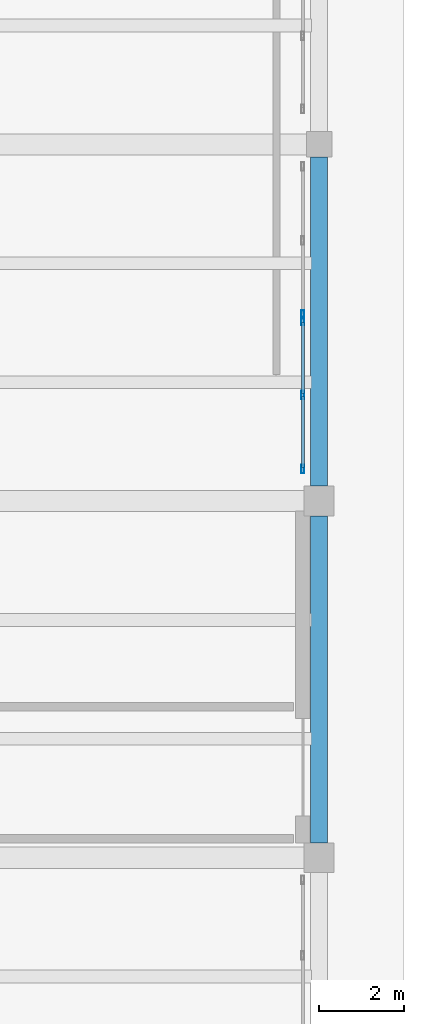
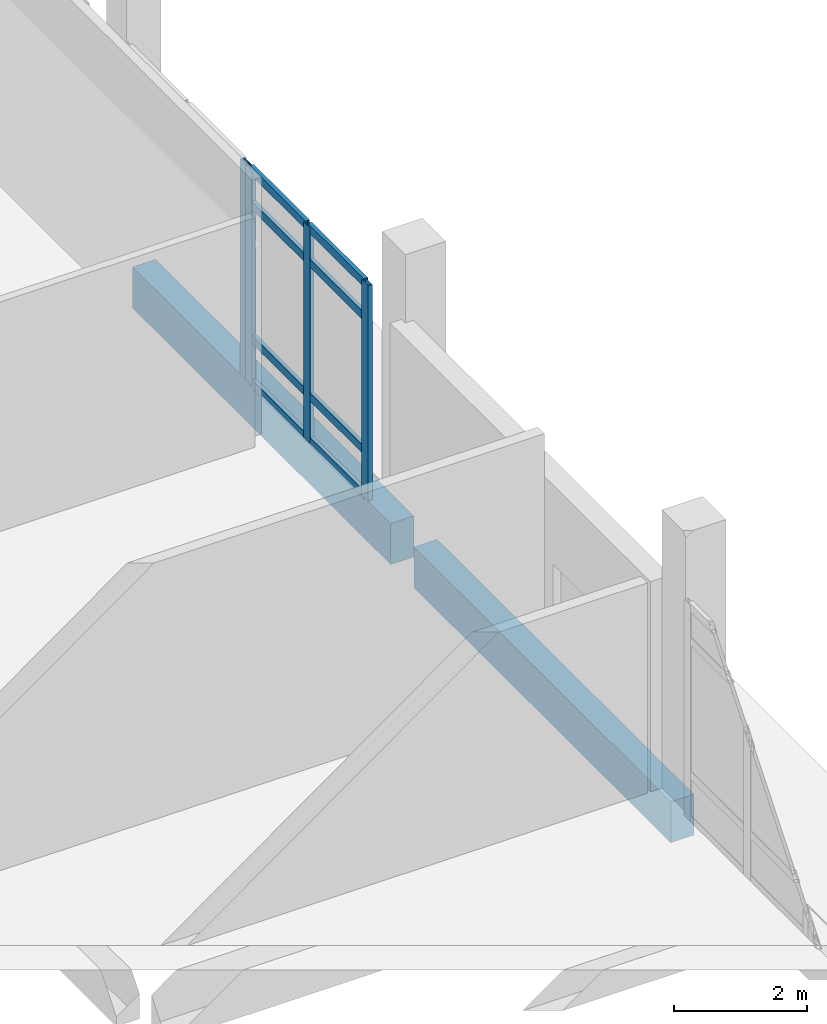
# One storey, part 21 of 64: 12 members, 2 beams, 2 elements without a shape of their own.
"""IFC4 building model written with IfcOpenShell, lengths in metres."""

import ifcopenshell
import ifcopenshell.guid

model = None  # the IFC model being written
_history = None  # IfcOwnerHistory: only IFC2X3 demands one
_inside = {}  # id of a spatial element -> (the spatial element, [elements in it])
_under = {}  # id of a project, library or spatial element -> (it, [spatial elements below it])
_declared = {}  # id of a project -> (the project, [libraries it declares])
_typed = {}  # id of a type object -> (the type object, [elements of that type])
_made_of = {}  # id of a material, layer set ... -> (it, [elements and type objects made of it])


def new_model(schema):
    """Start an empty IFC model of exactly this schema.

    Asked for "IFC4X3", IfcOpenShell would pick the latest addendum, in which some entities
    have other attributes; the version numbers below select the first issue.
    IFC2X3 requires an IfcOwnerHistory on every rooted entity: one is made here for all.
    """
    global model, _history
    if schema == "IFC4X3":
        model = ifcopenshell.file(schema_version=(4, 3, 0, 0))
    else:
        model = ifcopenshell.file(schema=schema)
    _inside.clear()
    _under.clear()
    _declared.clear()
    _typed.clear()
    _made_of.clear()
    _history = None
    if model.schema == "IFC2X3":
        org = make("IfcOrganization", Name="unknown")
        user = make(
            "IfcPersonAndOrganization",
            ThePerson=make("IfcPerson", FamilyName="unknown"),
            TheOrganization=org,
        )
        app = make(
            "IfcApplication",
            ApplicationDeveloper=org,
            Version="unknown",
            ApplicationFullName="unknown",
            ApplicationIdentifier="unknown",
        )
        _history = make(
            "IfcOwnerHistory",
            OwningUser=user,
            OwningApplication=app,
            ChangeAction="ADDED",
            CreationDate=0,
        )
    return model


def make(cls, **values):
    """One entity of the class cls with the attributes given. An attribute that is None is left unset."""
    return model.create_entity(
        cls, **{name: value for name, value in values.items() if value is not None}
    )


def rooted(cls, **values):
    """An entity with a GlobalId (a new one), such as an element, a storey or a relation."""
    return make(cls, GlobalId=ifcopenshell.guid.new(), OwnerHistory=_history, **values)


def si_unit(unit_type, name, prefix=None):
    """IfcSIUnit, for example si_unit("LENGTHUNIT", "METRE", prefix="MILLI")."""
    return make("IfcSIUnit", UnitType=unit_type, Prefix=prefix, Name=name)


def derived_unit(unit_type, elements):
    """IfcDerivedUnit: a product of units, each with its exponent."""
    return make(
        "IfcDerivedUnit",
        Elements=[
            make("IfcDerivedUnitElement", Unit=unit, Exponent=power)
            for unit, power in elements
        ],
        UnitType=unit_type,
    )


def assignment(units):
    """IfcUnitAssignment: the units of a project."""
    return None if units is None else make("IfcUnitAssignment", Units=units)


def point(xyz):
    """IfcCartesianPoint."""
    return None if xyz is None else make("IfcCartesianPoint", Coordinates=xyz)


def direction(xyz):
    """IfcDirection."""
    return None if xyz is None else make("IfcDirection", DirectionRatios=xyz)


def frame(location, z_axis=None, x_axis=None):
    """IfcAxis2Placement3D, a coordinate frame: its origin and axes. An axis left out is left unset."""
    return make(
        "IfcAxis2Placement3D",
        Location=point(location),
        Axis=direction(z_axis),
        RefDirection=direction(x_axis),
    )


def frame_2d(location, x_axis=None):
    """IfcAxis2Placement2D, a coordinate frame in the plane: its origin and x axis."""
    return make(
        "IfcAxis2Placement2D", Location=point(location), RefDirection=direction(x_axis)
    )


def origin():
    """The frame at (0, 0, 0) with its axes left unset."""
    return frame((0.0, 0.0, 0.0))


def origin_2d():
    """The frame at (0, 0) in the plane with its x axis left unset."""
    return frame_2d((0.0, 0.0))


def place(relative_to, where):
    """IfcLocalPlacement: puts the frame where relative to a parent placement (None: the world)."""
    return make(
        "IfcLocalPlacement", PlacementRelTo=relative_to, RelativePlacement=where
    )


def context(
    kind, dimensions, precision=None, world=None, true_north=None, identifier=None
):
    """IfcGeometricRepresentationContext, for example the 3D "Model" context."""
    return make(
        "IfcGeometricRepresentationContext",
        ContextIdentifier=identifier,
        ContextType=kind,
        CoordinateSpaceDimension=dimensions,
        Precision=precision,
        WorldCoordinateSystem=world,
        TrueNorth=true_north,
    )


def subcontext(parent, identifier, kind, view, scale=None):
    """IfcGeometricRepresentationSubContext, for example "Body" below "Model"."""
    return make(
        "IfcGeometricRepresentationSubContext",
        ContextIdentifier=identifier,
        ContextType=kind,
        ParentContext=parent,
        TargetScale=scale,
        TargetView=view,
    )


def project(units=None, contexts=None):
    """IfcProject with its units and contexts."""
    return rooted(
        "IfcProject",
        Name="project",
        RepresentationContexts=contexts,
        UnitsInContext=assignment(units),
    )


def spatial(cls, under=None, at=None, **own):
    """A site, building, storey or space (cls), placed at a placement, below another one or the project."""
    s = rooted(cls, ObjectPlacement=at, **own)
    if under is not None:
        _under.setdefault(under.id(), (under, []))[1].append(s)
    return s


def profile(cls, at=None, kind="AREA", **sizes):
    """A parametric profile (cls). Its sizes go by their IFC names, for example OverallWidth=200.0."""
    return make(cls, ProfileType=kind, Position=at, **sizes)


def rectangle(**sizes):
    """IfcRectangleProfileDef."""
    return profile("IfcRectangleProfileDef", **sizes)


def hollow_rectangle(**sizes):
    """IfcRectangleHollowProfileDef."""
    return profile("IfcRectangleHollowProfileDef", **sizes)


def extrude(swept, where, along, depth):
    """IfcExtrudedAreaSolid: the profile swept, set in the frame where, extruded along a direction by depth."""
    return make(
        "IfcExtrudedAreaSolid",
        SweptArea=swept,
        Position=where,
        ExtrudedDirection=direction(along),
        Depth=depth,
    )


def shape(context_of_items, identifier, shape_type, items):
    """IfcShapeRepresentation: the items that make up one representation, for example the "Body"."""
    return make(
        "IfcShapeRepresentation",
        ContextOfItems=context_of_items,
        RepresentationIdentifier=identifier,
        RepresentationType=shape_type,
        Items=items,
    )


def material(Name=None, Category=None):
    """IfcMaterial."""
    return make("IfcMaterial", Name=Name, Category=Category)


def layer(
    of_material, thickness, ventilated=None, Name=None, Category=None, Priority=None
):
    """IfcMaterialLayer: one layer of a wall or slab, of a material (None: an air gap)."""
    return make(
        "IfcMaterialLayer",
        Material=of_material,
        LayerThickness=thickness,
        IsVentilated=ventilated,
        Name=Name,
        Category=Category,
        Priority=Priority,
    )


def layer_set(layers, Name=None):
    """IfcMaterialLayerSet."""
    return make("IfcMaterialLayerSet", MaterialLayers=layers, LayerSetName=Name)


def material_profile(
    of_material, cross_section, Name=None, Category=None, Priority=None
):
    """IfcMaterialProfile: a cross section and its material."""
    return make(
        "IfcMaterialProfile",
        Name=Name,
        Material=of_material,
        Profile=cross_section,
        Priority=Priority,
        Category=Category,
    )


def profile_set(profiles, Name=None, composite=None):
    """IfcMaterialProfileSet."""
    return make(
        "IfcMaterialProfileSet",
        Name=Name,
        MaterialProfiles=profiles,
        CompositeProfile=composite,
    )


def made_of(thing, what):
    """Note that an element or type object is made of a material, layer set ...; save() writes the relation."""
    if what is not None:
        _made_of.setdefault(what.id(), (what, []))[1].append(thing)
    return thing


def type_object(cls, material=None, **own):
    """A type object (cls), such as IfcWallType, which elements share."""
    return made_of(rooted(cls, **own), material)


def element(
    cls,
    number,
    at=None,
    inside=None,
    cuts=None,
    type_object=None,
    material=None,
    context=None,
    identifier="Body",
    shape_type=None,
    held_by="IfcProductDefinitionShape",
    body=None,
    shapes=None,
    **own,
):
    """One element of the class cls, such as IfcWall. Its Tag is "e" and its number.

    at: its placement. inside: the storey or other place that contains it. cuts: it is an
    opening in that element (IfcRelVoidsElement). A single representation is given by context,
    identifier, shape_type and body (its items); several are given by shapes. held_by: the class
    of the entity that holds the representations. save() writes the other relations.
    """
    e = rooted(cls, Tag="e%d" % number, ObjectPlacement=at, **own)
    if body is not None:
        shapes = [shape(context, identifier, shape_type, body)]
    if shapes is not None:
        e.Representation = make(held_by, Representations=shapes)
    if inside is not None:
        _inside.setdefault(inside.id(), (inside, []))[1].append(e)
    if cuts is not None:
        rooted(
            "IfcRelVoidsElement", RelatingBuildingElement=cuts, RelatedOpeningElement=e
        )
    if type_object is not None:
        _typed.setdefault(type_object.id(), (type_object, []))[1].append(e)
    return made_of(e, material)


def aggregate(whole, parts):
    """IfcRelAggregates: a whole, such as a stair, and the parts it consists of."""
    return rooted("IfcRelAggregates", RelatingObject=whole, RelatedObjects=parts)


def save(model, path):
    """Write the relations noted so far, then the file.

    IfcRelAggregates (storeys below a building ...), IfcRelContainedInSpatialStructure (elements
    in a storey), IfcRelDefinesByType, IfcRelAssociatesMaterial and IfcRelDeclares: one each for
    every whole, place, type object, material and project.
    """
    for whole, parts in _under.values():
        aggregate(whole, parts)
    for where, things in _inside.values():
        rooted(
            "IfcRelContainedInSpatialStructure",
            RelatedElements=things,
            RelatingStructure=where,
        )
    for kind, things in _typed.values():
        rooted("IfcRelDefinesByType", RelatedObjects=things, RelatingType=kind)
    for what, things in _made_of.values():
        rooted("IfcRelAssociatesMaterial", RelatedObjects=things, RelatingMaterial=what)
    for by, libraries in _declared.values():
        rooted("IfcRelDeclares", RelatingContext=by, RelatedDefinitions=libraries)
    model.write(path)


model = new_model("IFC4")

# Units and contexts
model_context = context("Model", 3, precision=1e-05, world=origin(), true_north=direction((0.0, 1.0)))
body_context = subcontext(model_context, "Body", "Model", "MODEL_VIEW")
ifc_project = project(units=[si_unit("LENGTHUNIT", "METRE"), si_unit("AREAUNIT", "SQUARE_METRE"), si_unit("VOLUMEUNIT", "CUBIC_METRE"), si_unit("PLANEANGLEUNIT", "RADIAN"), si_unit("MASSUNIT", "GRAM", prefix="KILO"), derived_unit("THERMALTRANSMITTANCEUNIT", [(si_unit("POWERUNIT", "WATT"), 1), (si_unit("LENGTHUNIT", "METRE"), -2), (si_unit("THERMODYNAMICTEMPERATUREUNIT", "KELVIN"), -1)])], contexts=[model_context])

# Site, building, storey
site_placement = place(None, origin())
site = spatial("IfcSite", under=ifc_project, at=site_placement, CompositionType="ELEMENT")
building_placement = place(site_placement, origin())
building = spatial("IfcBuilding", under=site, at=building_placement, Name="Elbkamm Science Centre", CompositionType="ELEMENT")
storey_placement = place(building_placement, origin())
storey = spatial("IfcBuildingStorey", under=building, at=storey_placement, Name="L00", CompositionType="ELEMENT", Elevation=0.0)

# Beams
ifc_material_1 = material(Name="Concrete C40/50", Category="concrete")
ifc_material_profile_1 = material_profile(ifc_material_1, rectangle(XDim=0.39990234375, YDim=0.75, at=origin_2d()), Name="RC 400x750")
ifc_profile_set_1 = profile_set([ifc_material_profile_1], Name="Concrete C40/50")
beam_type = type_object("IfcBeamType", Name="BM-RC-400x750", PredefinedType="BEAM", material=ifc_profile_set_1)
beam_1_placement = place(storey_placement, frame((160.800048828125, 50.75, -0.675048828125), z_axis=(0.0, 1.0, 0.0), x_axis=(-1.0, 0.0, 0.0)))
element("IfcBeam", 1, at=beam_1_placement, inside=storey, type_object=beam_type, Name="L00 Primary Y-Girder 081", PredefinedType="BEAM", context=body_context, shape_type="SweptSolid", body=[
    extrude(rectangle(XDim=0.39990234375, YDim=0.75, at=origin_2d()), origin(), (0.0, 0.0, 1.0), 7.699951171875),
])
beam_2_placement = place(storey_placement, frame((160.800048828125, 59.14990234375, -0.675048828125), z_axis=(0.0, 1.0, 0.0), x_axis=(-1.0, 0.0, 0.0)))
element("IfcBeam", 2, at=beam_2_placement, inside=storey, type_object=beam_type, Name="L00 Primary Y-Girder 082", PredefinedType="BEAM", context=body_context, shape_type="SweptSolid", body=[
    extrude(rectangle(XDim=0.39990234375, YDim=0.75, at=origin_2d()), origin(), (0.0, 0.0, 1.0), 7.75),
])

# Curtain wall, member
ifc_material_2 = material(Name="Powder-coated aluminium and triple low-E glazing", Category="aluminium")
ifc_layer = layer(ifc_material_2, 0.159912109375)
ifc_layer_set = layer_set([ifc_layer], Name="Powder-coated aluminium and triple low-E glazing")
curtain_wall_type = type_object("IfcCurtainWallType", Name="CW-UNIT-3560x3960", PredefinedType="USERDEFINED", material=ifc_layer_set)
curtain_wall_1_placement = place(storey_placement, origin())
curtain_wall_1 = element("IfcCurtainWall", 3, at=curtain_wall_1_placement, inside=storey, type_object=curtain_wall_type, Name="L00 Unitised Curtain Wall 124", ObjectType="UNITISED CURTAIN WALL", PredefinedType="USERDEFINED")
ifc_material_3 = material(Name="Powder-coated aluminium EN AW-6060", Category="aluminium")
ifc_material_profile_2 = material_profile(ifc_material_3, hollow_rectangle(XDim=0.070068359375, YDim=0.199951171875, WallThickness=0.00439453125, at=origin_2d()), Name="ALU M70x200")
ifc_profile_set_2 = profile_set([ifc_material_profile_2], Name="Powder-coated aluminium EN AW-6060")
member_type_1 = type_object("IfcMemberType", Name="CW-MUL-70x200", PredefinedType="MULLION", material=ifc_profile_set_2)
member_1_placement = place(storey_placement, frame((160.419921875, 63.18994140625, 0.0), z_axis=(0.0, 0.0, 1.0), x_axis=(1.0, 0.0, 0.0)))
member_1 = element("IfcMember", 4, at=member_1_placement, type_object=member_type_1, Name="CW-062 mullion 3", PredefinedType="MULLION", context=body_context, shape_type="SweptSolid", body=[
    extrude(hollow_rectangle(XDim=0.070068359375, YDim=0.199951171875, WallThickness=0.00439453125, at=origin_2d()), origin(), (0.0, 0.0, 1.0), 3.949951171875),
])
aggregate(curtain_wall_1, [member_1])

# Curtain wall, members
curtain_wall_2_placement = place(storey_placement, origin())
curtain_wall_2 = element("IfcCurtainWall", 5, at=curtain_wall_2_placement, inside=storey, type_object=curtain_wall_type, Name="L00 Unitised Curtain Wall 125", ObjectType="UNITISED CURTAIN WALL", PredefinedType="USERDEFINED")
member_2_placement = place(storey_placement, frame((160.419921875, 63.039794921875, 0.0), z_axis=(0.0, 0.0, 1.0), x_axis=(1.0, 0.0, 0.0)))
member_2 = element("IfcMember", 6, at=member_2_placement, type_object=member_type_1, Name="CW-062 mullion 1", PredefinedType="MULLION", context=body_context, shape_type="SweptSolid", body=[
    extrude(hollow_rectangle(XDim=0.070068359375, YDim=0.199951171875, WallThickness=0.00439453125, at=origin_2d()), origin(), (0.0, 0.0, 1.0), 3.949951171875),
])
member_3_placement = place(storey_placement, frame((160.419921875, 61.29541015625, 0.0), z_axis=(0.0, 0.0, 1.0), x_axis=(1.0, 0.0, 0.0)))
member_3 = element("IfcMember", 7, at=member_3_placement, type_object=member_type_1, Name="CW-062 mullion 2", PredefinedType="MULLION", context=body_context, shape_type="SweptSolid", body=[
    extrude(hollow_rectangle(XDim=0.070068359375, YDim=0.199951171875, WallThickness=0.00439453125, at=origin_2d()), origin(), (0.0, 0.0, 1.0), 3.949951171875),
])
member_4_placement = place(storey_placement, frame((160.419921875, 59.551025390625, 0.0), z_axis=(0.0, 0.0, 1.0), x_axis=(1.0, 0.0, 0.0)))
member_4 = element("IfcMember", 8, at=member_4_placement, type_object=member_type_1, Name="CW-062 mullion 3", PredefinedType="MULLION", context=body_context, shape_type="SweptSolid", body=[
    extrude(hollow_rectangle(XDim=0.070068359375, YDim=0.199951171875, WallThickness=0.00439453125, at=origin_2d()), origin(), (0.0, 0.0, 1.0), 3.949951171875),
])
ifc_material_profile_3 = material_profile(ifc_material_3, hollow_rectangle(XDim=0.070068359375, YDim=0.14990234375, WallThickness=0.00390625, at=origin_2d()), Name="ALU T70x150")
ifc_profile_set_3 = profile_set([ifc_material_profile_3], Name="Powder-coated aluminium EN AW-6060")
member_type_2 = type_object("IfcMemberType", Name="CW-TRN-70x150", PredefinedType="USERDEFINED", material=ifc_profile_set_3)
member_5_placement = place(storey_placement, frame((160.419921875, 63.0048828125, 0.034912109375), z_axis=(0.0, -1.0, 0.0), x_axis=(1.0, 0.0, 0.0)))
member_5 = element("IfcMember", 9, at=member_5_placement, type_object=member_type_2, Name="CW-062 transom 1.1", ObjectType="TRANSOM", PredefinedType="USERDEFINED", context=body_context, shape_type="SweptSolid", body=[
    extrude(hollow_rectangle(XDim=0.070068359375, YDim=0.14990234375, WallThickness=0.00390625, at=origin_2d()), origin(), (0.0, 0.0, 1.0), 1.67431640625),
])
member_6_placement = place(storey_placement, frame((160.419921875, 63.0048828125, 0.85009765625), z_axis=(0.0, -1.0, 0.0), x_axis=(1.0, 0.0, 0.0)))
member_6 = element("IfcMember", 10, at=member_6_placement, type_object=member_type_2, Name="CW-062 transom 1.2", ObjectType="TRANSOM", PredefinedType="USERDEFINED", context=body_context, shape_type="SweptSolid", body=[
    extrude(hollow_rectangle(XDim=0.070068359375, YDim=0.14990234375, WallThickness=0.00390625, at=origin_2d()), origin(), (0.0, 0.0, 1.0), 1.67431640625),
])
member_7_placement = place(storey_placement, frame((160.419921875, 63.0048828125, 3.300048828125), z_axis=(0.0, -1.0, 0.0), x_axis=(1.0, 0.0, 0.0)))
member_7 = element("IfcMember", 11, at=member_7_placement, type_object=member_type_2, Name="CW-062 transom 1.3", ObjectType="TRANSOM", PredefinedType="USERDEFINED", context=body_context, shape_type="SweptSolid", body=[
    extrude(hollow_rectangle(XDim=0.070068359375, YDim=0.14990234375, WallThickness=0.00390625, at=origin_2d()), origin(), (0.0, 0.0, 1.0), 1.67431640625),
])
member_8_placement = place(storey_placement, frame((160.419921875, 63.0048828125, 3.9150390625), z_axis=(0.0, -1.0, 0.0), x_axis=(1.0, 0.0, 0.0)))
member_8 = element("IfcMember", 12, at=member_8_placement, type_object=member_type_2, Name="CW-062 transom 1.4", ObjectType="TRANSOM", PredefinedType="USERDEFINED", context=body_context, shape_type="SweptSolid", body=[
    extrude(hollow_rectangle(XDim=0.070068359375, YDim=0.14990234375, WallThickness=0.00390625, at=origin_2d()), origin(), (0.0, 0.0, 1.0), 1.67431640625),
])
member_9_placement = place(storey_placement, frame((160.419921875, 61.260498046875, 0.034912109375), z_axis=(0.0, -1.0, 0.0), x_axis=(1.0, 0.0, 0.0)))
member_9 = element("IfcMember", 13, at=member_9_placement, type_object=member_type_2, Name="CW-062 transom 2.1", ObjectType="TRANSOM", PredefinedType="USERDEFINED", context=body_context, shape_type="SweptSolid", body=[
    extrude(hollow_rectangle(XDim=0.070068359375, YDim=0.14990234375, WallThickness=0.00390625, at=origin_2d()), origin(), (0.0, 0.0, 1.0), 1.674560546875),
])
member_10_placement = place(storey_placement, frame((160.419921875, 61.260498046875, 0.85009765625), z_axis=(0.0, -1.0, 0.0), x_axis=(1.0, 0.0, 0.0)))
member_10 = element("IfcMember", 14, at=member_10_placement, type_object=member_type_2, Name="CW-062 transom 2.2", ObjectType="TRANSOM", PredefinedType="USERDEFINED", context=body_context, shape_type="SweptSolid", body=[
    extrude(hollow_rectangle(XDim=0.070068359375, YDim=0.14990234375, WallThickness=0.00390625, at=origin_2d()), origin(), (0.0, 0.0, 1.0), 1.674560546875),
])
member_11_placement = place(storey_placement, frame((160.419921875, 61.260498046875, 3.300048828125), z_axis=(0.0, -1.0, 0.0), x_axis=(1.0, 0.0, 0.0)))
member_11 = element("IfcMember", 15, at=member_11_placement, type_object=member_type_2, Name="CW-062 transom 2.3", ObjectType="TRANSOM", PredefinedType="USERDEFINED", context=body_context, shape_type="SweptSolid", body=[
    extrude(hollow_rectangle(XDim=0.070068359375, YDim=0.14990234375, WallThickness=0.00390625, at=origin_2d()), origin(), (0.0, 0.0, 1.0), 1.674560546875),
])
member_12_placement = place(storey_placement, frame((160.419921875, 61.260498046875, 3.9150390625), z_axis=(0.0, -1.0, 0.0), x_axis=(1.0, 0.0, 0.0)))
member_12 = element("IfcMember", 16, at=member_12_placement, type_object=member_type_2, Name="CW-062 transom 2.4", ObjectType="TRANSOM", PredefinedType="USERDEFINED", context=body_context, shape_type="SweptSolid", body=[
    extrude(hollow_rectangle(XDim=0.070068359375, YDim=0.14990234375, WallThickness=0.00390625, at=origin_2d()), origin(), (0.0, 0.0, 1.0), 1.674560546875),
])
aggregate(curtain_wall_2, [member_2, member_3, member_4, member_5, member_6, member_7, member_8, member_9, member_10, member_11, member_12])

save(model, "model.ifc")
